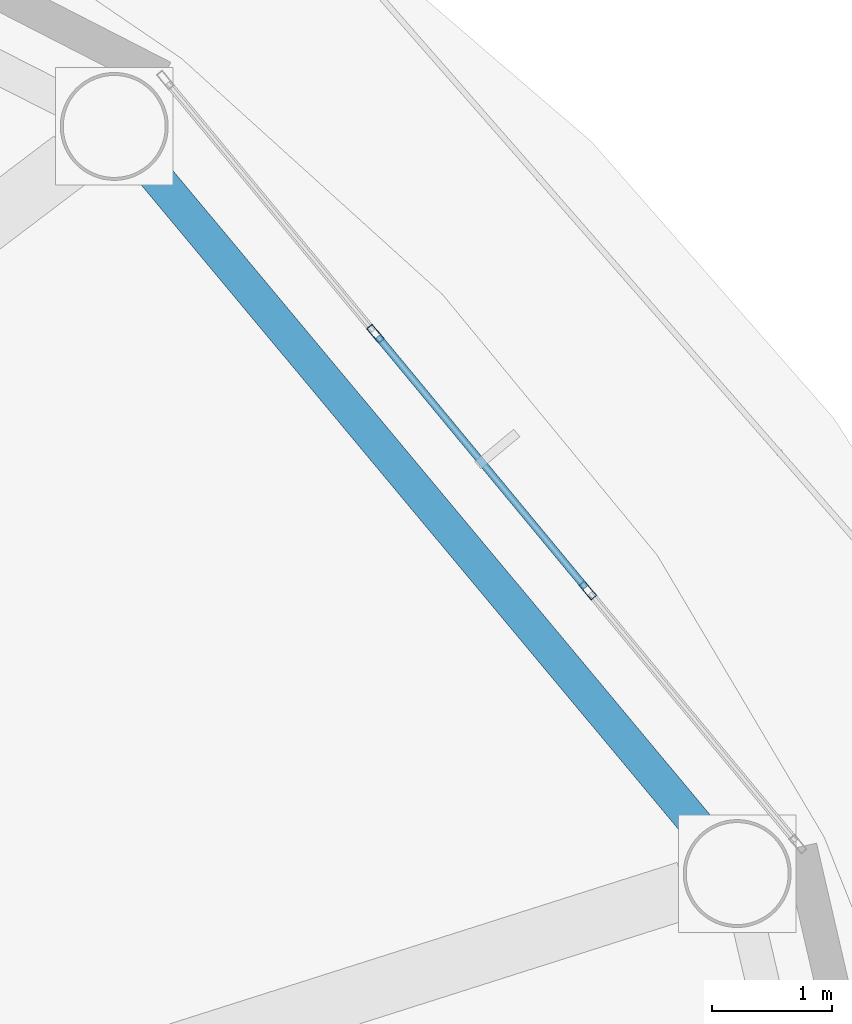
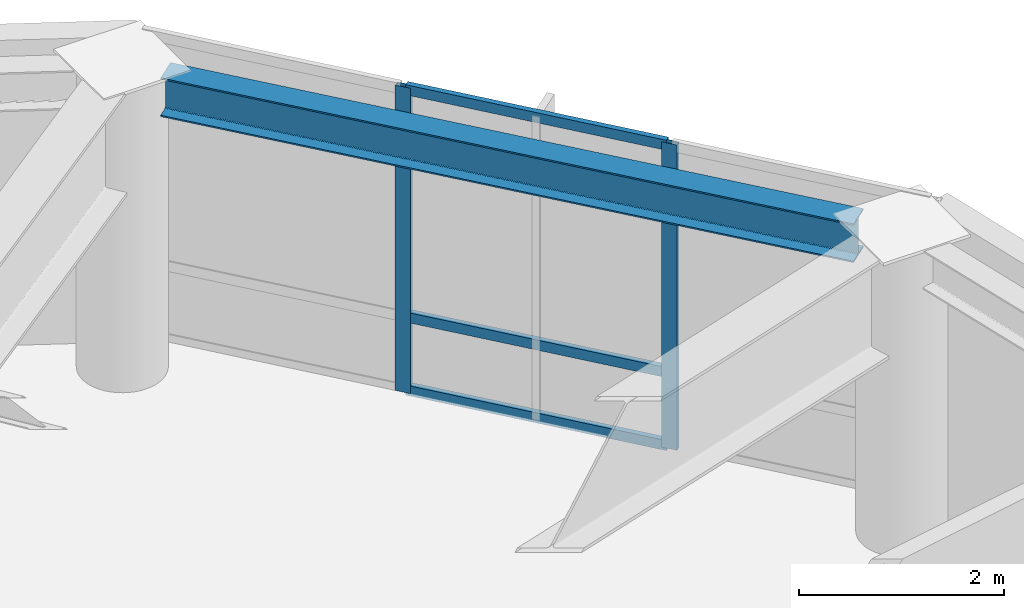
# One storey, part 9 of 24: 5 members, 1 beam, 1 element without a shape of its own.
"""IFC4 building model written with IfcOpenShell, lengths in metres."""

from ifc_helpers import new_model, si_unit, direction, frame, origin, origin_2d, place, context, subcontext, project, spatial, hollow_rectangle, i_section, extrude, material, layer, layer_set, material_profile, profile_set, type_object, element, aggregate, save


model = new_model("IFC4")

# Units and contexts
model_context = context("Model", 3, precision=1e-05, world=origin(), true_north=direction((0.0, 1.0)))
body_context = subcontext(model_context, "Body", "Model", "MODEL_VIEW")
ifc_project = project(units=[si_unit("LENGTHUNIT", "METRE"), si_unit("AREAUNIT", "SQUARE_METRE"), si_unit("VOLUMEUNIT", "CUBIC_METRE"), si_unit("PLANEANGLEUNIT", "RADIAN"), si_unit("MASSUNIT", "GRAM", prefix="KILO")], contexts=[model_context])

# Site, building, storey
site_placement = place(None, origin())
site = spatial("IfcSite", under=ifc_project, at=site_placement, CompositionType="ELEMENT")
building_placement = place(site_placement, origin())
building = spatial("IfcBuilding", under=site, at=building_placement, Name="Sarneth Arch Tower", CompositionType="ELEMENT")
storey_placement = place(building_placement, frame((0.0, 0.0, 312.60009765625)))
storey = spatial("IfcBuildingStorey", under=building, at=storey_placement, Name="L81", CompositionType="ELEMENT", Elevation=312.60009765625)

# Beam
ifc_material_1 = material(Name="Steel S355", Category="steel")
ifc_material_profile_1 = material_profile(ifc_material_1, i_section(OverallWidth=0.280029296875, OverallDepth=0.462890625, WebThickness=0.0107421875, FlangeThickness=0.017333984375, FilletRadius=0.01806640625, at=origin_2d()), Name="W460x113")
ifc_profile_set_1 = profile_set([ifc_material_profile_1], Name="Steel S355")
beam_type = type_object("IfcBeamType", Name="BM-RAD-460A", PredefinedType="BEAM", material=ifc_profile_set_1)
beam_placement = place(storey_placement, frame((70.880615234375, 49.693115234375, 3.408447265625), z_axis=(-0.640390876881, 0.768049168222, 0.0), x_axis=(-0.768049168222, -0.640390876881, 0.0)))
element("IfcBeam", 1, at=beam_placement, inside=storey, type_object=beam_type, Name="L81 Perimeter spandrel beam 02", PredefinedType="BEAM", context=body_context, shape_type="SweptSolid", body=[
    extrude(i_section(OverallWidth=0.280029296875, OverallDepth=0.462890625, WebThickness=0.0107421875, FlangeThickness=0.017333984375, FilletRadius=0.01806640625, at=origin_2d()), origin(), (0.0, 0.0, 1.0), 7.2099609375),
])

# Curtain wall, members
ifc_material_2 = material(Name="Anodised aluminium Type AA25 and solar-control low-e laminated IGU", Category="aluminium")
ifc_layer = layer(ifc_material_2, 0.179931640625)
ifc_layer_set = layer_set([ifc_layer], Name="Anodised aluminium Type AA25 and solar-control low-e laminated IGU")
curtain_wall_type = type_object("IfcCurtainWallType", Name="CW-RES-HIGH", PredefinedType="NOTDEFINED", material=ifc_layer_set)
curtain_wall_placement = place(storey_placement, origin())
curtain_wall = element("IfcCurtainWall", 2, at=curtain_wall_placement, inside=storey, type_object=curtain_wall_type, Name="L81 Unitised curtain wall facet 02", PredefinedType="NOTDEFINED")
ifc_material_3 = material(Name="Anodised Aluminium 6063-T6", Category="aluminium")
ifc_material_profile_2 = material_profile(ifc_material_3, hollow_rectangle(XDim=0.06005859375, YDim=0.159912109375, WallThickness=0.00390625, at=origin_2d()), Name="AL-MULL-160x60x4")
ifc_profile_set_2 = profile_set([ifc_material_profile_2], Name="Anodised Aluminium 6063-T6")
member_type_1 = type_object("IfcMemberType", Name="CW-MULLION", PredefinedType="MULLION", material=ifc_profile_set_2)
member_1_placement = place(storey_placement, frame((69.92333984375, 51.70849609375, 0.0), z_axis=(0.0, 0.0, 1.0), x_axis=(-0.770359245933, -0.637610094184, 0.0)))
member_1 = element("IfcMember", 3, at=member_1_placement, type_object=member_type_1, Name="CW-SYS-6 mullion 2", PredefinedType="MULLION", context=body_context, shape_type="SweptSolid", body=[
    extrude(hollow_rectangle(XDim=0.06005859375, YDim=0.159912109375, WallThickness=0.00390625, at=origin_2d()), origin(), (0.0, 0.0, 1.0), 3.639892578125),
])
member_2_placement = place(storey_placement, frame((68.15283203125, 53.84765625, 0.0), z_axis=(0.0, 0.0, 1.0), x_axis=(-0.770359245933, -0.637610094184, 0.0)))
member_2 = element("IfcMember", 4, at=member_2_placement, type_object=member_type_1, Name="CW-SYS-6 mullion 3", PredefinedType="MULLION", context=body_context, shape_type="SweptSolid", body=[
    extrude(hollow_rectangle(XDim=0.06005859375, YDim=0.159912109375, WallThickness=0.00390625, at=origin_2d()), origin(), (0.0, 0.0, 1.0), 3.639892578125),
])
ifc_material_4 = material(Name="Anodised Aluminium 6063-T6", Category="aluminium")
ifc_material_profile_3 = material_profile(ifc_material_4, hollow_rectangle(XDim=0.06005859375, YDim=0.1201171875, WallThickness=0.00390625, at=origin_2d()), Name="AL-TRAN-120x60x4")
ifc_profile_set_3 = profile_set([ifc_material_profile_3], Name="Anodised Aluminium 6063-T6")
member_type_2 = type_object("IfcMemberType", Name="CW-TRANSOM", PredefinedType="USERDEFINED", material=ifc_profile_set_3)
member_3_placement = place(storey_placement, frame((69.904296875, 51.731689453125, 0.02978515625), z_axis=(-0.637617371902, 0.770353222261, 0.0), x_axis=(-0.770353222261, -0.637617371902, 0.0)))
member_3 = element("IfcMember", 5, at=member_3_placement, type_object=member_type_2, Name="CW-SYS-6 transom 2.1", ObjectType="TRANSOM", PredefinedType="USERDEFINED", context=body_context, shape_type="SweptSolid", body=[
    extrude(hollow_rectangle(XDim=0.06005859375, YDim=0.1201171875, WallThickness=0.00390625, at=origin_2d()), origin(), (0.0, 0.0, 1.0), 2.716552734375),
])
member_4_placement = place(storey_placement, frame((69.904296875, 51.731689453125, 0.89990234375), z_axis=(-0.637617371902, 0.770353222261, 0.0), x_axis=(-0.770353222261, -0.637617371902, 0.0)))
member_4 = element("IfcMember", 6, at=member_4_placement, type_object=member_type_2, Name="CW-SYS-6 transom 2.2", ObjectType="TRANSOM", PredefinedType="USERDEFINED", context=body_context, shape_type="SweptSolid", body=[
    extrude(hollow_rectangle(XDim=0.06005859375, YDim=0.1201171875, WallThickness=0.00390625, at=origin_2d()), origin(), (0.0, 0.0, 1.0), 2.716552734375),
])
member_5_placement = place(storey_placement, frame((69.904296875, 51.731689453125, 3.60986328125), z_axis=(-0.637617371902, 0.770353222261, 0.0), x_axis=(-0.770353222261, -0.637617371902, 0.0)))
member_5 = element("IfcMember", 7, at=member_5_placement, type_object=member_type_2, Name="CW-SYS-6 transom 2.3", ObjectType="TRANSOM", PredefinedType="USERDEFINED", context=body_context, shape_type="SweptSolid", body=[
    extrude(hollow_rectangle(XDim=0.06005859375, YDim=0.1201171875, WallThickness=0.00390625, at=origin_2d()), origin(), (0.0, 0.0, 1.0), 2.716552734375),
])
aggregate(curtain_wall, [member_1, member_2, member_3, member_4, member_5])

save(model, "model.ifc")
